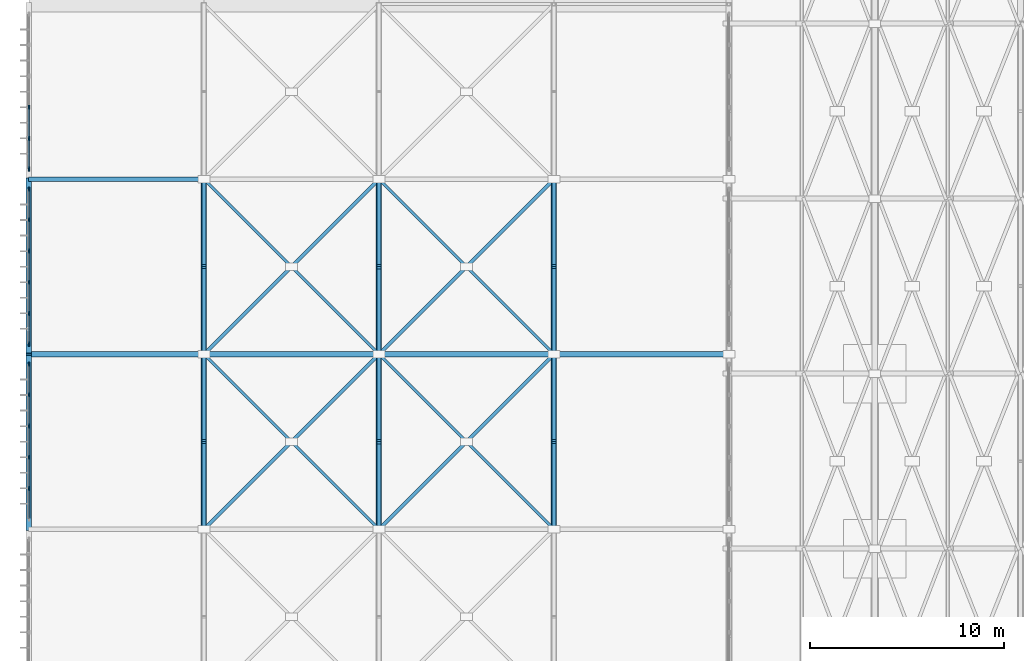
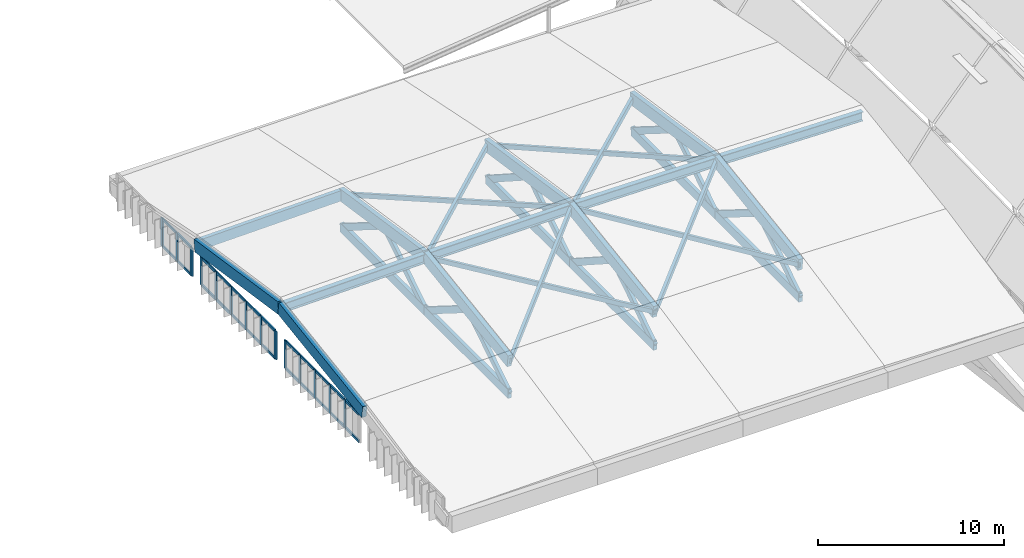
# One storey, part 26 of 93: 68 members, 13 beams, 3 elements without a shape of their own.
"""IFC4 building model written with IfcOpenShell, lengths in metres."""

from ifc_helpers import new_model, si_unit, direction, frame, origin, origin_2d, place, context, subcontext, project, spatial, rectangle, i_section, extrude, material, material_profile, profile_set, type_object, element, aggregate, save


model = new_model("IFC4")

# Units and contexts
model_context = context("Model", 3, precision=1e-05, world=origin(), true_north=direction((0.0, 1.0)))
body_context = subcontext(model_context, "Body", "Model", "MODEL_VIEW")
ifc_project = project(units=[si_unit("LENGTHUNIT", "METRE"), si_unit("AREAUNIT", "SQUARE_METRE"), si_unit("VOLUMEUNIT", "CUBIC_METRE"), si_unit("PLANEANGLEUNIT", "RADIAN"), si_unit("MASSUNIT", "GRAM", prefix="KILO")], contexts=[model_context])

# Site, building, storey
site_placement = place(None, origin())
site = spatial("IfcSite", under=ifc_project, at=site_placement, CompositionType="ELEMENT")
building_placement = place(site_placement, origin())
building = spatial("IfcBuilding", under=site, at=building_placement, Name="Vourika Railside Aquatics Centre", CompositionType="ELEMENT")
storey_placement = place(building_placement, frame((0.0, 0.0, 21.89990234375)))
storey = spatial("IfcBuildingStorey", under=building, at=storey_placement, Name="Roof", CompositionType="ELEMENT", Elevation=21.89990234375)

# Beams
ifc_material_1 = material(Name="Glulam GL32h", Category="wood")
ifc_material_profile_1 = material_profile(ifc_material_1, rectangle(XDim=0.239990234375, YDim=0.679931640625, at=origin_2d()), Name="GL32h 240x680")
ifc_profile_set_1 = profile_set([ifc_material_profile_1], Name="Glulam GL32h")
beam_type_1 = type_object("IfcBeamType", Name="BM-GL-DIVE-240x680", PredefinedType="BEAM", material=ifc_profile_set_1)
beam_1_placement = place(storey_placement, frame((0.0, 49.0, -3.97998046875), z_axis=(0.999807195748, 0.0, 0.019635970316), x_axis=(0.0, 1.0, 0.0)))
element("IfcBeam", 1, at=beam_1_placement, inside=storey, type_object=beam_type_1, Name="Diving Shell Transverse Tie Beam DRT-1-49", PredefinedType="BEAM", context=body_context, shape_type="SweptSolid", body=[
    extrude(rectangle(XDim=0.239990234375, YDim=0.679931640625, at=origin_2d()), origin(), (0.0, 0.0, 1.0), 9.001708984375),
])
ifc_material_profile_2 = material_profile(ifc_material_1, rectangle(XDim=0.280029296875, YDim=0.800048828125, at=origin_2d()), Name="GL32h 280x800")
ifc_profile_set_2 = profile_set([ifc_material_profile_2], Name="Glulam GL32h")
beam_type_2 = type_object("IfcBeamType", Name="BM-GL-RIDGE-280x800", PredefinedType="BEAM", material=ifc_profile_set_2)
for number, where, z_axis, x_axis, name in (
    (2, (0.0, 31.0, -3.97998046875), (0.0, 0.988934778637, 0.148350947425), (-1.0, 0.0, 0.0), "Diving Roof Truss Arch Rib DAR-0240"),
    (3, (0.0, 40.0, -2.6298828125), (0.0, 0.988934778637, -0.148350947425), (-1.0, 0.0, 0.0), "Diving Roof Truss Arch Rib DAR-0241"),
    (4, (9.0, 31.0, -3.80322265625), (0.0, 0.988934778637, 0.148350947425), (-1.0, 0.0, 0.0), "Diving Roof Truss Arch Rib DAR-0244"),
    (5, (9.0, 40.0, -2.453125), (0.0, 0.988934778637, -0.148350947425), (-1.0, 0.0, 0.0), "Diving Roof Truss Arch Rib DAR-0245"),
    (6, (18.0, 31.0, -3.72998046875), (0.0, 0.988934778637, 0.148350947425), (-1.0, 0.0, 0.0), "Diving Roof Truss Arch Rib DAR-0248"),
    (7, (18.0, 40.0, -2.3798828125), (0.0, 0.988934778637, -0.148350947425), (-1.0, 0.0, 0.0), "Diving Roof Truss Arch Rib DAR-0249"),
    (8, (27.0, 31.0, -3.80322265625), (0.0, 0.988934778637, 0.148350947425), (-1.0, 0.0, 0.0), "Diving Roof Truss Arch Rib DAR-0252"),
    (9, (27.0, 40.0, -2.453125), (0.0, 0.988934778637, -0.148350947425), (-1.0, 0.0, 0.0), "Diving Roof Truss Arch Rib DAR-0253"),
):
    element("IfcBeam", number, at=place(storey_placement, frame(where, z_axis=z_axis, x_axis=x_axis)), inside=storey, type_object=beam_type_2, Name=name, PredefinedType="BEAM", context=body_context, shape_type="SweptSolid", body=[
        extrude(rectangle(XDim=0.280029296875, YDim=0.800048828125, at=origin_2d()), origin(), (0.0, 0.0, 1.0), 9.1005859375),
    ])
ifc_material_2 = material(Name="Steel S355J2", Category="steel")
ifc_material_profile_3 = material_profile(ifc_material_2, i_section(OverallWidth=0.300048828125, OverallDepth=0.60009765625, WebThickness=0.015380859375, FlangeThickness=0.030029296875, at=origin_2d()), Name="HEB 600")
ifc_profile_set_3 = profile_set([ifc_material_profile_3], Name="Steel S355J2")
beam_type_3 = type_object("IfcBeamType", Name="BM-STL-HEB600", PredefinedType="BEAM", material=ifc_profile_set_3)
beam_2_placement = place(storey_placement, frame((0.0, 40.0, -2.6298828125), z_axis=(0.999807195748, 0.0, 0.019635970316), x_axis=(0.0, 1.0, 0.0)))
element("IfcBeam", 10, at=beam_2_placement, inside=storey, type_object=beam_type_3, Name="Diving Shell Transverse Tie Beam DRT-1-40", PredefinedType="BEAM", context=body_context, shape_type="SweptSolid", body=[
    extrude(i_section(OverallWidth=0.300048828125, OverallDepth=0.60009765625, WebThickness=0.015380859375, FlangeThickness=0.030029296875, at=origin_2d()), origin(), (0.0, 0.0, 1.0), 9.001708984375),
])
for number, where, z_axis, x_axis, name in (
    (11, (9.0, 40.0, -2.453125), (0.999966887953, 0.0, 0.008137751367), (0.0, 1.0, 0.0), "Diving Shell Transverse Tie Beam DRT-2-40"),
    (12, (18.0, 40.0, -2.3798828125), (0.999966887953, 0.0, -0.008137751367), (0.0, 1.0, 0.0), "Diving Shell Transverse Tie Beam DRT-3-40"),
):
    element("IfcBeam", number, at=place(storey_placement, frame(where, z_axis=z_axis, x_axis=x_axis)), inside=storey, type_object=beam_type_3, Name=name, PredefinedType="BEAM", context=body_context, shape_type="SweptSolid", body=[
        extrude(i_section(OverallWidth=0.300048828125, OverallDepth=0.60009765625, WebThickness=0.015380859375, FlangeThickness=0.030029296875, at=origin_2d()), origin(), (0.0, 0.0, 1.0), 9.000244140625),
    ])
beam_3_placement = place(storey_placement, frame((27.0, 40.0, -2.453125), z_axis=(0.999807195748, 0.0, -0.019635970316), x_axis=(0.0, 1.0, 0.0)))
element("IfcBeam", 13, at=beam_3_placement, inside=storey, type_object=beam_type_3, Name="Diving Shell Transverse Tie Beam DRT-4-40", PredefinedType="BEAM", context=body_context, shape_type="SweptSolid", body=[
    extrude(i_section(OverallWidth=0.300048828125, OverallDepth=0.60009765625, WebThickness=0.015380859375, FlangeThickness=0.030029296875, at=origin_2d()), origin(), (0.0, 0.0, 1.0), 9.001708984375),
])

# Curtain wall, members
ifc_material_3 = material(Name="Anodized thermally broken aluminium", Category="aluminium")
curtain_wall_type = type_object("IfcCurtainWallType", Name="CW-DIVEW", PredefinedType="NOTDEFINED", material=ifc_material_3)
curtain_wall_1_placement = place(storey_placement, origin())
curtain_wall_1 = element("IfcCurtainWall", 14, at=curtain_wall_1_placement, inside=storey, type_object=curtain_wall_type, Name="Diving Hall West Clerestory Curtain Wall 2", PredefinedType="NOTDEFINED")
ifc_material_4 = material(Name="Anodized aluminium mullion", Category="aluminium")
ifc_material_profile_4 = material_profile(ifc_material_4, rectangle(XDim=0.077880859375, YDim=0.215087890625, at=origin_2d()), Name="ALU-M 78x215")
ifc_profile_set_4 = profile_set([ifc_material_profile_4], Name="Anodized aluminium mullion")
member_type_1 = type_object("IfcMemberType", Name="CWM-DIVEW", PredefinedType="MULLION", material=ifc_profile_set_4)
member_1_placement = place(storey_placement, frame((0.0, 39.48095703125, -6.2998046875), z_axis=(0.0, 0.0, 1.0), x_axis=(1.0, 0.0, 0.0)))
member_1 = element("IfcMember", 15, at=member_1_placement, type_object=member_type_1, Name="CW05 mullion 1", PredefinedType="MULLION", context=body_context, shape_type="SweptSolid", body=[
    extrude(rectangle(XDim=0.077880859375, YDim=0.215087890625, at=origin_2d()), origin(), (0.0, 0.0, 1.0), 1.849853515625),
])
member_2_placement = place(storey_placement, frame((0.0, 37.912109375, -6.2998046875), z_axis=(0.0, 0.0, 1.0), x_axis=(1.0, 0.0, 0.0)))
member_2 = element("IfcMember", 16, at=member_2_placement, type_object=member_type_1, Name="CW05 mullion 2", PredefinedType="MULLION", context=body_context, shape_type="SweptSolid", body=[
    extrude(rectangle(XDim=0.077880859375, YDim=0.215087890625, at=origin_2d()), origin(), (0.0, 0.0, 1.0), 1.849853515625),
])
member_3_placement = place(storey_placement, frame((0.0, 36.303955078125, -6.2998046875), z_axis=(0.0, 0.0, 1.0), x_axis=(1.0, 0.0, 0.0)))
member_3 = element("IfcMember", 17, at=member_3_placement, type_object=member_type_1, Name="CW05 mullion 3", PredefinedType="MULLION", context=body_context, shape_type="SweptSolid", body=[
    extrude(rectangle(XDim=0.077880859375, YDim=0.215087890625, at=origin_2d()), origin(), (0.0, 0.0, 1.0), 1.849853515625),
])
member_4_placement = place(storey_placement, frame((0.0, 34.696044921875, -6.2998046875), z_axis=(0.0, 0.0, 1.0), x_axis=(1.0, 0.0, 0.0)))
member_4 = element("IfcMember", 18, at=member_4_placement, type_object=member_type_1, Name="CW05 mullion 4", PredefinedType="MULLION", context=body_context, shape_type="SweptSolid", body=[
    extrude(rectangle(XDim=0.077880859375, YDim=0.215087890625, at=origin_2d()), origin(), (0.0, 0.0, 1.0), 1.849853515625),
])
member_5_placement = place(storey_placement, frame((0.0, 33.087890625, -6.2998046875), z_axis=(0.0, 0.0, 1.0), x_axis=(1.0, 0.0, 0.0)))
member_5 = element("IfcMember", 19, at=member_5_placement, type_object=member_type_1, Name="CW05 mullion 5", PredefinedType="MULLION", context=body_context, shape_type="SweptSolid", body=[
    extrude(rectangle(XDim=0.077880859375, YDim=0.215087890625, at=origin_2d()), origin(), (0.0, 0.0, 1.0), 1.849853515625),
])

curtain_wall_2_placement = place(storey_placement, origin())
curtain_wall_2 = element("IfcCurtainWall", 20, at=curtain_wall_2_placement, inside=storey, type_object=curtain_wall_type, Name="Diving Hall West Clerestory Curtain Wall 3", PredefinedType="NOTDEFINED")
member_6_placement = place(storey_placement, frame((0.0, 48.48095703125, -6.2998046875), z_axis=(0.0, 0.0, 1.0), x_axis=(1.0, 0.0, 0.0)))
member_6 = element("IfcMember", 21, at=member_6_placement, type_object=member_type_1, Name="CW05 mullion 1", PredefinedType="MULLION", context=body_context, shape_type="SweptSolid", body=[
    extrude(rectangle(XDim=0.077880859375, YDim=0.215087890625, at=origin_2d()), origin(), (0.0, 0.0, 1.0), 1.849853515625),
])
member_7_placement = place(storey_placement, frame((0.0, 46.912109375, -6.2998046875), z_axis=(0.0, 0.0, 1.0), x_axis=(1.0, 0.0, 0.0)))
member_7 = element("IfcMember", 22, at=member_7_placement, type_object=member_type_1, Name="CW05 mullion 2", PredefinedType="MULLION", context=body_context, shape_type="SweptSolid", body=[
    extrude(rectangle(XDim=0.077880859375, YDim=0.215087890625, at=origin_2d()), origin(), (0.0, 0.0, 1.0), 1.849853515625),
])
member_8_placement = place(storey_placement, frame((0.0, 45.303955078125, -6.2998046875), z_axis=(0.0, 0.0, 1.0), x_axis=(1.0, 0.0, 0.0)))
member_8 = element("IfcMember", 23, at=member_8_placement, type_object=member_type_1, Name="CW05 mullion 3", PredefinedType="MULLION", context=body_context, shape_type="SweptSolid", body=[
    extrude(rectangle(XDim=0.077880859375, YDim=0.215087890625, at=origin_2d()), origin(), (0.0, 0.0, 1.0), 1.849853515625),
])
member_9_placement = place(storey_placement, frame((0.0, 43.696044921875, -6.2998046875), z_axis=(0.0, 0.0, 1.0), x_axis=(1.0, 0.0, 0.0)))
member_9 = element("IfcMember", 24, at=member_9_placement, type_object=member_type_1, Name="CW05 mullion 4", PredefinedType="MULLION", context=body_context, shape_type="SweptSolid", body=[
    extrude(rectangle(XDim=0.077880859375, YDim=0.215087890625, at=origin_2d()), origin(), (0.0, 0.0, 1.0), 1.849853515625),
])
member_10_placement = place(storey_placement, frame((0.0, 42.087890625, -6.2998046875), z_axis=(0.0, 0.0, 1.0), x_axis=(1.0, 0.0, 0.0)))
member_10 = element("IfcMember", 25, at=member_10_placement, type_object=member_type_1, Name="CW05 mullion 5", PredefinedType="MULLION", context=body_context, shape_type="SweptSolid", body=[
    extrude(rectangle(XDim=0.077880859375, YDim=0.215087890625, at=origin_2d()), origin(), (0.0, 0.0, 1.0), 1.849853515625),
])
member_11_placement = place(storey_placement, frame((0.0, 40.51904296875, -6.2998046875), z_axis=(0.0, 0.0, 1.0), x_axis=(1.0, 0.0, 0.0)))
member_11 = element("IfcMember", 26, at=member_11_placement, type_object=member_type_1, Name="CW05 mullion 6", PredefinedType="MULLION", context=body_context, shape_type="SweptSolid", body=[
    extrude(rectangle(XDim=0.077880859375, YDim=0.215087890625, at=origin_2d()), origin(), (0.0, 0.0, 1.0), 1.849853515625),
])

curtain_wall_3_placement = place(storey_placement, origin())
curtain_wall_3 = element("IfcCurtainWall", 27, at=curtain_wall_3_placement, inside=storey, type_object=curtain_wall_type, Name="Diving Hall West Clerestory Curtain Wall 4", PredefinedType="NOTDEFINED")
member_12_placement = place(storey_placement, frame((0.0, 52.696044921875, -6.2998046875), z_axis=(0.0, 0.0, 1.0), x_axis=(1.0, 0.0, 0.0)))
member_12 = element("IfcMember", 28, at=member_12_placement, type_object=member_type_1, Name="CW05 mullion 4", PredefinedType="MULLION", context=body_context, shape_type="SweptSolid", body=[
    extrude(rectangle(XDim=0.077880859375, YDim=0.215087890625, at=origin_2d()), origin(), (0.0, 0.0, 1.0), 1.849853515625),
])
member_13_placement = place(storey_placement, frame((0.0, 51.087890625, -6.2998046875), z_axis=(0.0, 0.0, 1.0), x_axis=(1.0, 0.0, 0.0)))
member_13 = element("IfcMember", 29, at=member_13_placement, type_object=member_type_1, Name="CW05 mullion 5", PredefinedType="MULLION", context=body_context, shape_type="SweptSolid", body=[
    extrude(rectangle(XDim=0.077880859375, YDim=0.215087890625, at=origin_2d()), origin(), (0.0, 0.0, 1.0), 1.849853515625),
])
member_14_placement = place(storey_placement, frame((0.0, 49.51904296875, -6.2998046875), z_axis=(0.0, 0.0, 1.0), x_axis=(1.0, 0.0, 0.0)))
member_14 = element("IfcMember", 30, at=member_14_placement, type_object=member_type_1, Name="CW05 mullion 6", PredefinedType="MULLION", context=body_context, shape_type="SweptSolid", body=[
    extrude(rectangle(XDim=0.077880859375, YDim=0.215087890625, at=origin_2d()), origin(), (0.0, 0.0, 1.0), 1.849853515625),
])

# Member
ifc_material_5 = material(Name="Anodized aluminium transom", Category="aluminium")
ifc_material_profile_5 = material_profile(ifc_material_5, rectangle(XDim=0.077880859375, YDim=0.169921875, at=origin_2d()), Name="ALU-T 78x170")
ifc_profile_set_5 = profile_set([ifc_material_profile_5], Name="Anodized aluminium transom")
member_type_2 = type_object("IfcMemberType", Name="CWT-DIVEW", PredefinedType="USERDEFINED", material=ifc_profile_set_5)
member_15_placement = place(storey_placement, frame((0.0, 39.44189453125, -6.260986328125), z_axis=(0.0, -1.0, 0.0), x_axis=(1.0, 0.0, 0.0)))
member_15 = element("IfcMember", 31, at=member_15_placement, type_object=member_type_2, Name="CW05 transom 1.1", ObjectType="TRANSOM", PredefinedType="USERDEFINED", context=body_context, shape_type="SweptSolid", body=[
    extrude(rectangle(XDim=0.077880859375, YDim=0.169921875, at=origin_2d()), origin(), (0.0, 0.0, 1.0), 1.490966796875),
])

member_16_placement = place(storey_placement, frame((0.0, 39.44189453125, -4.489013671875), z_axis=(0.0, -1.0, 0.0), x_axis=(1.0, 0.0, 0.0)))
member_16 = element("IfcMember", 32, at=member_16_placement, type_object=member_type_2, Name="CW05 transom 1.2", ObjectType="TRANSOM", PredefinedType="USERDEFINED", context=body_context, shape_type="SweptSolid", body=[
    extrude(rectangle(XDim=0.077880859375, YDim=0.169921875, at=origin_2d()), origin(), (0.0, 0.0, 1.0), 1.490966796875),
])

member_17_placement = place(storey_placement, frame((0.0, 37.873046875, -6.260986328125), z_axis=(0.0, -1.0, 0.0), x_axis=(1.0, 0.0, 0.0)))
member_17 = element("IfcMember", 33, at=member_17_placement, type_object=member_type_2, Name="CW05 transom 2.1", ObjectType="TRANSOM", PredefinedType="USERDEFINED", context=body_context, shape_type="SweptSolid", body=[
    extrude(rectangle(XDim=0.077880859375, YDim=0.169921875, at=origin_2d()), origin(), (0.0, 0.0, 1.0), 1.530029296875),
])

member_18_placement = place(storey_placement, frame((0.0, 37.873046875, -4.489013671875), z_axis=(0.0, -1.0, 0.0), x_axis=(1.0, 0.0, 0.0)))
member_18 = element("IfcMember", 34, at=member_18_placement, type_object=member_type_2, Name="CW05 transom 2.2", ObjectType="TRANSOM", PredefinedType="USERDEFINED", context=body_context, shape_type="SweptSolid", body=[
    extrude(rectangle(XDim=0.077880859375, YDim=0.169921875, at=origin_2d()), origin(), (0.0, 0.0, 1.0), 1.530029296875),
])

member_19_placement = place(storey_placement, frame((0.0, 36.264892578125, -6.260986328125), z_axis=(0.0, -1.0, 0.0), x_axis=(1.0, 0.0, 0.0)))
member_19 = element("IfcMember", 35, at=member_19_placement, type_object=member_type_2, Name="CW05 transom 3.1", ObjectType="TRANSOM", PredefinedType="USERDEFINED", context=body_context, shape_type="SweptSolid", body=[
    extrude(rectangle(XDim=0.077880859375, YDim=0.169921875, at=origin_2d()), origin(), (0.0, 0.0, 1.0), 1.52978515625),
])

member_20_placement = place(storey_placement, frame((0.0, 36.264892578125, -4.489013671875), z_axis=(0.0, -1.0, 0.0), x_axis=(1.0, 0.0, 0.0)))
member_20 = element("IfcMember", 36, at=member_20_placement, type_object=member_type_2, Name="CW05 transom 3.2", ObjectType="TRANSOM", PredefinedType="USERDEFINED", context=body_context, shape_type="SweptSolid", body=[
    extrude(rectangle(XDim=0.077880859375, YDim=0.169921875, at=origin_2d()), origin(), (0.0, 0.0, 1.0), 1.52978515625),
])

member_21_placement = place(storey_placement, frame((0.0, 34.656982421875, -6.260986328125), z_axis=(0.0, -1.0, 0.0), x_axis=(1.0, 0.0, 0.0)))
member_21 = element("IfcMember", 37, at=member_21_placement, type_object=member_type_2, Name="CW05 transom 4.1", ObjectType="TRANSOM", PredefinedType="USERDEFINED", context=body_context, shape_type="SweptSolid", body=[
    extrude(rectangle(XDim=0.077880859375, YDim=0.169921875, at=origin_2d()), origin(), (0.0, 0.0, 1.0), 1.530029296875),
])

member_22_placement = place(storey_placement, frame((0.0, 34.656982421875, -4.489013671875), z_axis=(0.0, -1.0, 0.0), x_axis=(1.0, 0.0, 0.0)))
member_22 = element("IfcMember", 38, at=member_22_placement, type_object=member_type_2, Name="CW05 transom 4.2", ObjectType="TRANSOM", PredefinedType="USERDEFINED", context=body_context, shape_type="SweptSolid", body=[
    extrude(rectangle(XDim=0.077880859375, YDim=0.169921875, at=origin_2d()), origin(), (0.0, 0.0, 1.0), 1.530029296875),
])

member_23_placement = place(storey_placement, frame((0.0, 33.049072265625, -6.260986328125), z_axis=(0.0, -1.0, 0.0), x_axis=(1.0, 0.0, 0.0)))
member_23 = element("IfcMember", 39, at=member_23_placement, type_object=member_type_2, Name="CW05 transom 5.1", ObjectType="TRANSOM", PredefinedType="USERDEFINED", context=body_context, shape_type="SweptSolid", body=[
    extrude(rectangle(XDim=0.077880859375, YDim=0.169921875, at=origin_2d()), origin(), (0.0, 0.0, 1.0), 1.490966796875),
])

member_24_placement = place(storey_placement, frame((0.0, 33.049072265625, -4.489013671875), z_axis=(0.0, -1.0, 0.0), x_axis=(1.0, 0.0, 0.0)))
member_24 = element("IfcMember", 40, at=member_24_placement, type_object=member_type_2, Name="CW05 transom 5.2", ObjectType="TRANSOM", PredefinedType="USERDEFINED", context=body_context, shape_type="SweptSolid", body=[
    extrude(rectangle(XDim=0.077880859375, YDim=0.169921875, at=origin_2d()), origin(), (0.0, 0.0, 1.0), 1.490966796875),
])

aggregate(curtain_wall_1, [member_1, member_2, member_3, member_4, member_5, member_15, member_16, member_17, member_18, member_19, member_20, member_21, member_22, member_23, member_24])

member_25_placement = place(storey_placement, frame((0.0, 48.44189453125, -6.260986328125), z_axis=(0.0, -1.0, 0.0), x_axis=(1.0, 0.0, 0.0)))
member_25 = element("IfcMember", 41, at=member_25_placement, type_object=member_type_2, Name="CW05 transom 1.1", ObjectType="TRANSOM", PredefinedType="USERDEFINED", context=body_context, shape_type="SweptSolid", body=[
    extrude(rectangle(XDim=0.077880859375, YDim=0.169921875, at=origin_2d()), origin(), (0.0, 0.0, 1.0), 1.490966796875),
])

member_26_placement = place(storey_placement, frame((0.0, 48.44189453125, -4.489013671875), z_axis=(0.0, -1.0, 0.0), x_axis=(1.0, 0.0, 0.0)))
member_26 = element("IfcMember", 42, at=member_26_placement, type_object=member_type_2, Name="CW05 transom 1.2", ObjectType="TRANSOM", PredefinedType="USERDEFINED", context=body_context, shape_type="SweptSolid", body=[
    extrude(rectangle(XDim=0.077880859375, YDim=0.169921875, at=origin_2d()), origin(), (0.0, 0.0, 1.0), 1.490966796875),
])

member_27_placement = place(storey_placement, frame((0.0, 46.873046875, -6.260986328125), z_axis=(0.0, -1.0, 0.0), x_axis=(1.0, 0.0, 0.0)))
member_27 = element("IfcMember", 43, at=member_27_placement, type_object=member_type_2, Name="CW05 transom 2.1", ObjectType="TRANSOM", PredefinedType="USERDEFINED", context=body_context, shape_type="SweptSolid", body=[
    extrude(rectangle(XDim=0.077880859375, YDim=0.169921875, at=origin_2d()), origin(), (0.0, 0.0, 1.0), 1.530029296875),
])

member_28_placement = place(storey_placement, frame((0.0, 46.873046875, -4.489013671875), z_axis=(0.0, -1.0, 0.0), x_axis=(1.0, 0.0, 0.0)))
member_28 = element("IfcMember", 44, at=member_28_placement, type_object=member_type_2, Name="CW05 transom 2.2", ObjectType="TRANSOM", PredefinedType="USERDEFINED", context=body_context, shape_type="SweptSolid", body=[
    extrude(rectangle(XDim=0.077880859375, YDim=0.169921875, at=origin_2d()), origin(), (0.0, 0.0, 1.0), 1.530029296875),
])

member_29_placement = place(storey_placement, frame((0.0, 45.264892578125, -6.260986328125), z_axis=(0.0, -1.0, 0.0), x_axis=(1.0, 0.0, 0.0)))
member_29 = element("IfcMember", 45, at=member_29_placement, type_object=member_type_2, Name="CW05 transom 3.1", ObjectType="TRANSOM", PredefinedType="USERDEFINED", context=body_context, shape_type="SweptSolid", body=[
    extrude(rectangle(XDim=0.077880859375, YDim=0.169921875, at=origin_2d()), origin(), (0.0, 0.0, 1.0), 1.52978515625),
])

member_30_placement = place(storey_placement, frame((0.0, 45.264892578125, -4.489013671875), z_axis=(0.0, -1.0, 0.0), x_axis=(1.0, 0.0, 0.0)))
member_30 = element("IfcMember", 46, at=member_30_placement, type_object=member_type_2, Name="CW05 transom 3.2", ObjectType="TRANSOM", PredefinedType="USERDEFINED", context=body_context, shape_type="SweptSolid", body=[
    extrude(rectangle(XDim=0.077880859375, YDim=0.169921875, at=origin_2d()), origin(), (0.0, 0.0, 1.0), 1.52978515625),
])

member_31_placement = place(storey_placement, frame((0.0, 43.656982421875, -6.260986328125), z_axis=(0.0, -1.0, 0.0), x_axis=(1.0, 0.0, 0.0)))
member_31 = element("IfcMember", 47, at=member_31_placement, type_object=member_type_2, Name="CW05 transom 4.1", ObjectType="TRANSOM", PredefinedType="USERDEFINED", context=body_context, shape_type="SweptSolid", body=[
    extrude(rectangle(XDim=0.077880859375, YDim=0.169921875, at=origin_2d()), origin(), (0.0, 0.0, 1.0), 1.530029296875),
])

member_32_placement = place(storey_placement, frame((0.0, 43.656982421875, -4.489013671875), z_axis=(0.0, -1.0, 0.0), x_axis=(1.0, 0.0, 0.0)))
member_32 = element("IfcMember", 48, at=member_32_placement, type_object=member_type_2, Name="CW05 transom 4.2", ObjectType="TRANSOM", PredefinedType="USERDEFINED", context=body_context, shape_type="SweptSolid", body=[
    extrude(rectangle(XDim=0.077880859375, YDim=0.169921875, at=origin_2d()), origin(), (0.0, 0.0, 1.0), 1.530029296875),
])

member_33_placement = place(storey_placement, frame((0.0, 42.049072265625, -6.260986328125), z_axis=(0.0, -1.0, 0.0), x_axis=(1.0, 0.0, 0.0)))
member_33 = element("IfcMember", 49, at=member_33_placement, type_object=member_type_2, Name="CW05 transom 5.1", ObjectType="TRANSOM", PredefinedType="USERDEFINED", context=body_context, shape_type="SweptSolid", body=[
    extrude(rectangle(XDim=0.077880859375, YDim=0.169921875, at=origin_2d()), origin(), (0.0, 0.0, 1.0), 1.490966796875),
])

member_34_placement = place(storey_placement, frame((0.0, 42.049072265625, -4.489013671875), z_axis=(0.0, -1.0, 0.0), x_axis=(1.0, 0.0, 0.0)))
member_34 = element("IfcMember", 50, at=member_34_placement, type_object=member_type_2, Name="CW05 transom 5.2", ObjectType="TRANSOM", PredefinedType="USERDEFINED", context=body_context, shape_type="SweptSolid", body=[
    extrude(rectangle(XDim=0.077880859375, YDim=0.169921875, at=origin_2d()), origin(), (0.0, 0.0, 1.0), 1.490966796875),
])

aggregate(curtain_wall_2, [member_6, member_7, member_8, member_9, member_10, member_11, member_25, member_26, member_27, member_28, member_29, member_30, member_31, member_32, member_33, member_34])

member_35_placement = place(storey_placement, frame((0.0, 52.656982421875, -6.260986328125), z_axis=(0.0, -1.0, 0.0), x_axis=(1.0, 0.0, 0.0)))
member_35 = element("IfcMember", 51, at=member_35_placement, type_object=member_type_2, Name="CW05 transom 4.1", ObjectType="TRANSOM", PredefinedType="USERDEFINED", context=body_context, shape_type="SweptSolid", body=[
    extrude(rectangle(XDim=0.077880859375, YDim=0.169921875, at=origin_2d()), origin(), (0.0, 0.0, 1.0), 1.530029296875),
])

member_36_placement = place(storey_placement, frame((0.0, 52.656982421875, -4.489013671875), z_axis=(0.0, -1.0, 0.0), x_axis=(1.0, 0.0, 0.0)))
member_36 = element("IfcMember", 52, at=member_36_placement, type_object=member_type_2, Name="CW05 transom 4.2", ObjectType="TRANSOM", PredefinedType="USERDEFINED", context=body_context, shape_type="SweptSolid", body=[
    extrude(rectangle(XDim=0.077880859375, YDim=0.169921875, at=origin_2d()), origin(), (0.0, 0.0, 1.0), 1.530029296875),
])

member_37_placement = place(storey_placement, frame((0.0, 51.049072265625, -6.260986328125), z_axis=(0.0, -1.0, 0.0), x_axis=(1.0, 0.0, 0.0)))
member_37 = element("IfcMember", 53, at=member_37_placement, type_object=member_type_2, Name="CW05 transom 5.1", ObjectType="TRANSOM", PredefinedType="USERDEFINED", context=body_context, shape_type="SweptSolid", body=[
    extrude(rectangle(XDim=0.077880859375, YDim=0.169921875, at=origin_2d()), origin(), (0.0, 0.0, 1.0), 1.490966796875),
])

member_38_placement = place(storey_placement, frame((0.0, 51.049072265625, -4.489013671875), z_axis=(0.0, -1.0, 0.0), x_axis=(1.0, 0.0, 0.0)))
member_38 = element("IfcMember", 54, at=member_38_placement, type_object=member_type_2, Name="CW05 transom 5.2", ObjectType="TRANSOM", PredefinedType="USERDEFINED", context=body_context, shape_type="SweptSolid", body=[
    extrude(rectangle(XDim=0.077880859375, YDim=0.169921875, at=origin_2d()), origin(), (0.0, 0.0, 1.0), 1.490966796875),
])

aggregate(curtain_wall_3, [member_12, member_13, member_14, member_35, member_36, member_37, member_38])

# Members
ifc_material_profile_6 = material_profile(ifc_material_1, rectangle(XDim=0.219970703125, YDim=0.60009765625, at=origin_2d()), Name="GL32h 220x600")
ifc_profile_set_6 = profile_set([ifc_material_profile_6], Name="Glulam GL32h")
member_type_3 = type_object("IfcMemberType", Name="MEM-GL-CHORD", PredefinedType="CHORD", material=ifc_profile_set_6)
for number, where, z_axis, x_axis, name in (
    (55, (9.0, 31.0, -5.949951171875), (0.0, 1.0, 0.0), (-1.0, 0.0, 0.0), "Diving Roof Truss Bottom Chord DBC-0244"),
    (56, (9.0, 40.0, -5.949951171875), (0.0, 1.0, 0.0), (-1.0, 0.0, 0.0), "Diving Roof Truss Bottom Chord DBC-0245"),
    (57, (18.0, 31.0, -5.949951171875), (0.0, 1.0, 0.0), (-1.0, 0.0, 0.0), "Diving Roof Truss Bottom Chord DBC-0248"),
    (58, (18.0, 40.0, -5.949951171875), (0.0, 1.0, 0.0), (-1.0, 0.0, 0.0), "Diving Roof Truss Bottom Chord DBC-0249"),
    (59, (27.0, 31.0, -5.949951171875), (0.0, 1.0, 0.0), (-1.0, 0.0, 0.0), "Diving Roof Truss Bottom Chord DBC-0252"),
    (60, (27.0, 40.0, -5.949951171875), (0.0, 1.0, 0.0), (-1.0, 0.0, 0.0), "Diving Roof Truss Bottom Chord DBC-0253"),
):
    element("IfcMember", number, at=place(storey_placement, frame(where, z_axis=z_axis, x_axis=x_axis)), inside=storey, type_object=member_type_3, Name=name, PredefinedType="CHORD", context=body_context, shape_type="SweptSolid", body=[
        extrude(rectangle(XDim=0.219970703125, YDim=0.60009765625, at=origin_2d()), origin(), (0.0, 0.0, 1.0), 9.0),
    ])
ifc_material_6 = material(Name="Glulam GL28h", Category="wood")
ifc_material_profile_7 = material_profile(ifc_material_6, rectangle(XDim=0.179931640625, YDim=0.360107421875, at=origin_2d()), Name="GL28h 180x360")
ifc_profile_set_7 = profile_set([ifc_material_profile_7], Name="Glulam GL28h")
member_type_4 = type_object("IfcMemberType", Name="MEM-GL-LATH1", PredefinedType="BRACE", material=ifc_profile_set_7)
member_39_placement = place(storey_placement, frame((9.0, 31.0, -3.80322265625), z_axis=(0.702726448913, 0.702726448913, 0.111135394888), x_axis=(-0.707106781187, 0.707106781187, 0.0)))
element("IfcMember", 61, at=member_39_placement, inside=storey, type_object=member_type_4, Name="Diving Roof Continuous Diagonal Lath DGLA-0415", PredefinedType="BRACE", context=body_context, shape_type="SweptSolid", body=[
    extrude(rectangle(XDim=0.179931640625, YDim=0.360107421875, at=origin_2d()), origin(), (0.0, 0.0, 1.0), 12.807373046875),
])
for number, where, z_axis, x_axis, name in (
    (62, (9.0, 40.0, -2.453125), (0.70357527103, 0.70357527103, -0.099818214721), (-0.707106781187, 0.707106781187, 0.0), "Diving Roof Continuous Diagonal Lath DGLA-0417"),
    (63, (18.0, 31.0, -3.72998046875), (0.70357527103, 0.70357527103, 0.099818214721), (-0.707106781187, 0.707106781187, 0.0), "Diving Roof Continuous Diagonal Lath DGLA-0423"),
):
    element("IfcMember", number, at=place(storey_placement, frame(where, z_axis=z_axis, x_axis=x_axis)), inside=storey, type_object=member_type_4, Name=name, PredefinedType="BRACE", context=body_context, shape_type="SweptSolid", body=[
        extrude(rectangle(XDim=0.179931640625, YDim=0.360107421875, at=origin_2d()), origin(), (0.0, 0.0, 1.0), 12.791748046875),
    ])
member_40_placement = place(storey_placement, frame((18.0, 40.0, -2.3798828125), z_axis=(0.702726448913, 0.702726448913, -0.111135394888), x_axis=(-0.707106781187, 0.707106781187, 0.0)))
element("IfcMember", 64, at=member_40_placement, inside=storey, type_object=member_type_4, Name="Diving Roof Continuous Diagonal Lath DGLA-0425", PredefinedType="BRACE", context=body_context, shape_type="SweptSolid", body=[
    extrude(rectangle(XDim=0.179931640625, YDim=0.360107421875, at=origin_2d()), origin(), (0.0, 0.0, 1.0), 12.807373046875),
])
ifc_material_profile_8 = material_profile(ifc_material_6, rectangle(XDim=0.14990234375, YDim=0.300048828125, at=origin_2d()), Name="GL28h 150x300")
ifc_profile_set_8 = profile_set([ifc_material_profile_8], Name="Glulam GL28h")
member_type_5 = type_object("IfcMemberType", Name="MEM-GL-LATH3", PredefinedType="BRACE", material=ifc_profile_set_8)
for number, where, z_axis, x_axis, name in (
    (65, (18.0, 31.0, -3.72998046875), (-0.70357527103, 0.70357527103, 0.099818214721), (-0.707106781187, -0.707106781187, 0.0), "Diving Roof Split Counter Lath DGLB1-0416"),
    (66, (13.5, 35.5, -3.091552734375), (-0.70357527103, 0.70357527103, 0.099818214721), (-0.707106781187, -0.707106781187, 0.0), "Diving Roof Split Counter Lath DGLB2-0416"),
):
    element("IfcMember", number, at=place(storey_placement, frame(where, z_axis=z_axis, x_axis=x_axis)), inside=storey, type_object=member_type_5, Name=name, PredefinedType="BRACE", context=body_context, shape_type="SweptSolid", body=[
        extrude(rectangle(XDim=0.14990234375, YDim=0.300048828125, at=origin_2d()), origin(), (0.0, 0.0, 1.0), 6.39599609375),
    ])
for number, where, z_axis, x_axis, name in (
    (67, (18.0, 40.0, -2.3798828125), (-0.702726448913, 0.702726448913, -0.111135394888), (-0.707106781187, -0.707106781187, 0.0), "Diving Roof Split Counter Lath DGLB1-0418"),
    (68, (13.5, 44.5, -3.091552734375), (-0.702726448913, 0.702726448913, -0.111135394888), (-0.707106781187, -0.707106781187, 0.0), "Diving Roof Split Counter Lath DGLB2-0418"),
    (69, (27.0, 31.0, -3.80322265625), (-0.702726448913, 0.702726448913, 0.111135394888), (-0.707106781187, -0.707106781187, 0.0), "Diving Roof Split Counter Lath DGLB1-0424"),
    (70, (22.5, 35.5, -3.091552734375), (-0.702726448913, 0.702726448913, 0.111135394888), (-0.707106781187, -0.707106781187, 0.0), "Diving Roof Split Counter Lath DGLB2-0424"),
):
    element("IfcMember", number, at=place(storey_placement, frame(where, z_axis=z_axis, x_axis=x_axis)), inside=storey, type_object=member_type_5, Name=name, PredefinedType="BRACE", context=body_context, shape_type="SweptSolid", body=[
        extrude(rectangle(XDim=0.14990234375, YDim=0.300048828125, at=origin_2d()), origin(), (0.0, 0.0, 1.0), 6.403564453125),
    ])
for number, where, z_axis, x_axis, name in (
    (71, (27.0, 40.0, -2.453125), (-0.70357527103, 0.70357527103, -0.099818214721), (-0.707106781187, -0.707106781187, 0.0), "Diving Roof Split Counter Lath DGLB1-0426"),
    (72, (22.5, 44.5, -3.091552734375), (-0.70357527103, 0.70357527103, -0.099818214721), (-0.707106781187, -0.707106781187, 0.0), "Diving Roof Split Counter Lath DGLB2-0426"),
):
    element("IfcMember", number, at=place(storey_placement, frame(where, z_axis=z_axis, x_axis=x_axis)), inside=storey, type_object=member_type_5, Name=name, PredefinedType="BRACE", context=body_context, shape_type="SweptSolid", body=[
        extrude(rectangle(XDim=0.14990234375, YDim=0.300048828125, at=origin_2d()), origin(), (0.0, 0.0, 1.0), 6.39599609375),
    ])
ifc_material_profile_9 = material_profile(ifc_material_6, rectangle(XDim=0.199951171875, YDim=0.39990234375, at=origin_2d()), Name="GL28h 200x400")
ifc_profile_set_9 = profile_set([ifc_material_profile_9], Name="Glulam GL28h")
member_type_6 = type_object("IfcMemberType", Name="MEM-GL-STRUT1", PredefinedType="STRUT", material=ifc_profile_set_9)
for number, where, z_axis, x_axis, name in (
    (73, (9.0, 31.0, -5.949951171875), (0.0, 0.847212367058, 0.531254369491), (-1.0, 0.0, 0.0), "Diving Roof Warren Web Strut A DWA-0244"),
    (74, (9.0, 35.5, -3.128173828125), (0.0, 0.847212367058, -0.531254369491), (-1.0, 0.0, 0.0), "Diving Roof Warren Web Strut B DWB-0244"),
    (75, (9.0, 40.0, -5.949951171875), (0.0, 0.847212367058, 0.531254369491), (-1.0, 0.0, 0.0), "Diving Roof Warren Web Strut A DWA-0245"),
    (76, (9.0, 44.5, -3.128173828125), (0.0, 0.847212367058, -0.531254369491), (-1.0, 0.0, 0.0), "Diving Roof Warren Web Strut B DWB-0245"),
):
    element("IfcMember", number, at=place(storey_placement, frame(where, z_axis=z_axis, x_axis=x_axis)), inside=storey, type_object=member_type_6, Name=name, PredefinedType="STRUT", context=body_context, shape_type="SweptSolid", body=[
        extrude(rectangle(XDim=0.199951171875, YDim=0.39990234375, at=origin_2d()), origin(), (0.0, 0.0, 1.0), 5.3115234375),
    ])
for number, where, z_axis, x_axis, name in (
    (77, (18.0, 31.0, -5.949951171875), (0.0, 0.840994601521, 0.541043510462), (-1.0, 0.0, 0.0), "Diving Roof Warren Web Strut A DWA-0248"),
    (78, (18.0, 35.5, -3.054931640625), (0.0, 0.840994601521, -0.541043510462), (-1.0, 0.0, 0.0), "Diving Roof Warren Web Strut B DWB-0248"),
    (79, (18.0, 40.0, -5.949951171875), (0.0, 0.840994601521, 0.541043510462), (-1.0, 0.0, 0.0), "Diving Roof Warren Web Strut A DWA-0249"),
    (80, (18.0, 44.5, -3.054931640625), (0.0, 0.840994601521, -0.541043510462), (-1.0, 0.0, 0.0), "Diving Roof Warren Web Strut B DWB-0249"),
):
    element("IfcMember", number, at=place(storey_placement, frame(where, z_axis=z_axis, x_axis=x_axis)), inside=storey, type_object=member_type_6, Name=name, PredefinedType="STRUT", context=body_context, shape_type="SweptSolid", body=[
        extrude(rectangle(XDim=0.199951171875, YDim=0.39990234375, at=origin_2d()), origin(), (0.0, 0.0, 1.0), 5.350830078125),
    ])
for number, where, z_axis, x_axis, name in (
    (81, (27.0, 31.0, -5.949951171875), (0.0, 0.847212367058, 0.531254369491), (-1.0, 0.0, 0.0), "Diving Roof Warren Web Strut A DWA-0252"),
    (82, (27.0, 35.5, -3.128173828125), (0.0, 0.847212367058, -0.531254369491), (-1.0, 0.0, 0.0), "Diving Roof Warren Web Strut B DWB-0252"),
    (83, (27.0, 40.0, -5.949951171875), (0.0, 0.847212367058, 0.531254369491), (-1.0, 0.0, 0.0), "Diving Roof Warren Web Strut A DWA-0253"),
    (84, (27.0, 44.5, -3.128173828125), (0.0, 0.847212367058, -0.531254369491), (-1.0, 0.0, 0.0), "Diving Roof Warren Web Strut B DWB-0253"),
):
    element("IfcMember", number, at=place(storey_placement, frame(where, z_axis=z_axis, x_axis=x_axis)), inside=storey, type_object=member_type_6, Name=name, PredefinedType="STRUT", context=body_context, shape_type="SweptSolid", body=[
        extrude(rectangle(XDim=0.199951171875, YDim=0.39990234375, at=origin_2d()), origin(), (0.0, 0.0, 1.0), 5.3115234375),
    ])

save(model, "model.ifc")
